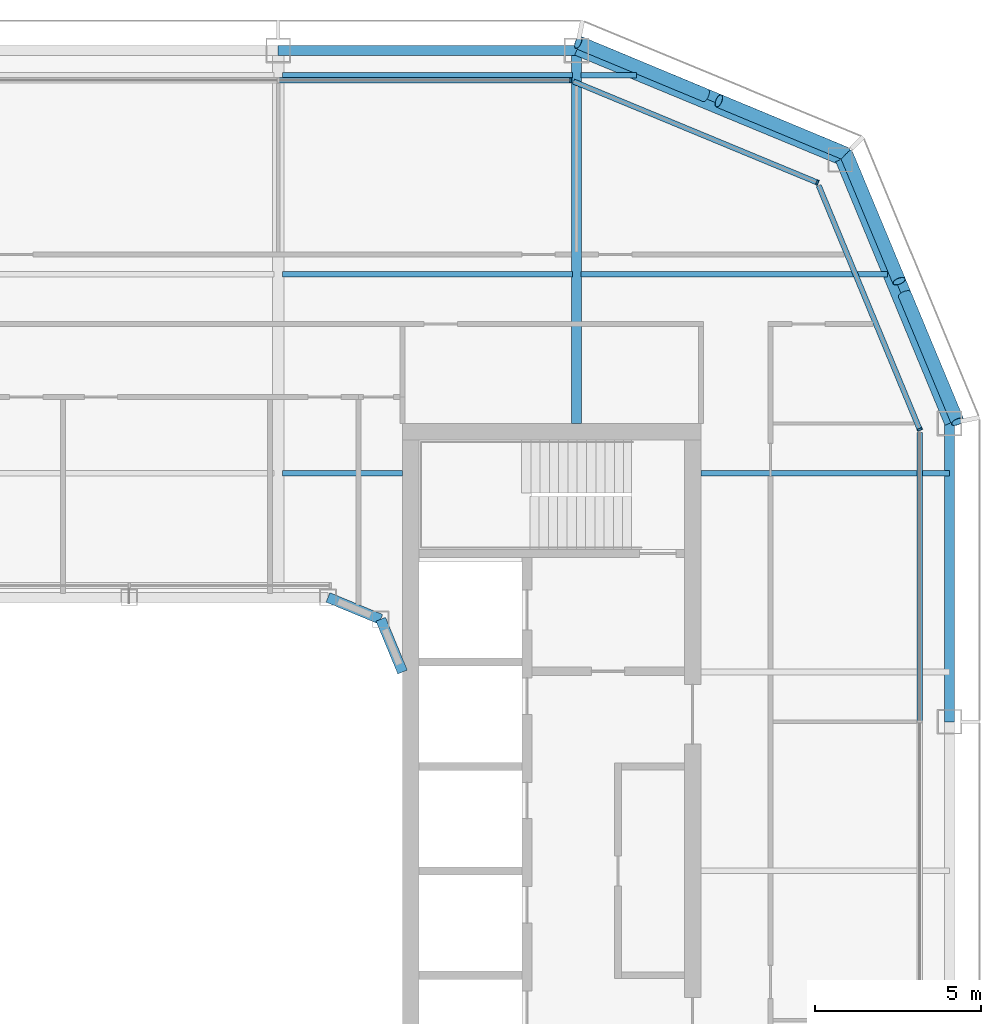
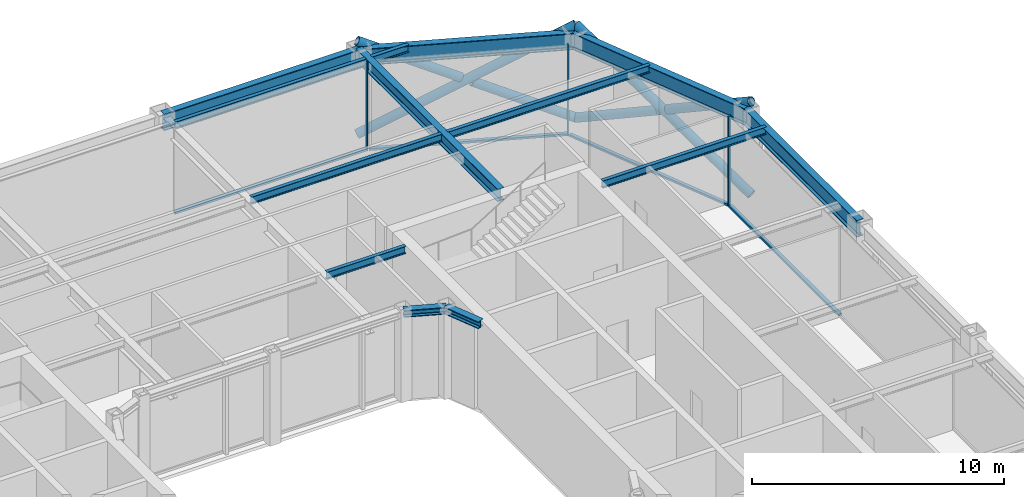
# One storey, part 8 of 17: 13 beams, 13 members, 4 elements without a shape of their own.
"""IFC4 building model written with IfcOpenShell, lengths in metres."""

from ifc_helpers import new_model, si_unit, direction, frame, origin, origin_2d, place, context, subcontext, project, spatial, rectangle, hollow_circle, i_section, extrude, material, layer, layer_set, material_profile, profile_set, type_object, element, aggregate, save


model = new_model("IFC4")

# Units and contexts
model_context = context("Model", 3, precision=1e-05, world=origin(), true_north=direction((0.0, 1.0)))
body_context = subcontext(model_context, "Body", "Model", "MODEL_VIEW")
ifc_project = project(units=[si_unit("LENGTHUNIT", "METRE"), si_unit("AREAUNIT", "SQUARE_METRE"), si_unit("VOLUMEUNIT", "CUBIC_METRE"), si_unit("PLANEANGLEUNIT", "RADIAN"), si_unit("MASSUNIT", "GRAM", prefix="KILO")], contexts=[model_context])

# Site, building, storey
site_placement = place(None, origin())
site = spatial("IfcSite", under=ifc_project, at=site_placement, CompositionType="ELEMENT")
building_placement = place(site_placement, origin())
building = spatial("IfcBuilding", under=site, at=building_placement, Name="Siwar Civic Tower", CompositionType="ELEMENT")
storey_placement = place(building_placement, frame((0.0, 0.0, 289.699951171875)))
storey = spatial("IfcBuildingStorey", under=building, at=storey_placement, Name="L62", CompositionType="ELEMENT", Elevation=289.699951171875)

# Curtain wall, member
ifc_material_1 = material(Name="Aluminium clad insulated panel", Category="aluminium")
ifc_layer_1 = layer(ifc_material_1, 0.159912109375)
ifc_layer_set_1 = layer_set([ifc_layer_1], Name="Aluminium clad insulated panel")
curtain_wall_type_1 = type_object("IfcCurtainWallType", Name="ENV-CW-DX", PredefinedType="NOTDEFINED", material=ifc_layer_set_1)
curtain_wall_1_placement = place(storey_placement, origin())
curtain_wall_1 = element("IfcCurtainWall", 1, at=curtain_wall_1_placement, inside=storey, type_object=curtain_wall_type_1, Name="Curtain wall D NE1", PredefinedType="NOTDEFINED")
ifc_material_2 = material(Name="Aluminium 6063-T6", Category="aluminium")
ifc_material_profile_1 = material_profile(ifc_material_2, rectangle(XDim=0.159912109375, YDim=0.06005859375, at=origin_2d()), Name="AL 160x60")
ifc_profile_set_1 = profile_set([ifc_material_profile_1], Name="Aluminium 6063-T6")
member_type_1 = type_object("IfcMemberType", Name="ENV-MULLION-D", PredefinedType="MULLION", material=ifc_profile_set_1)
member_1_placement = place(storey_placement, frame((23.85009765625, 13.321044921875, 0.0), z_axis=(0.0, 0.0, 1.0), x_axis=(-0.923879532511, -0.382683432365, 0.0)))
member_1 = element("IfcMember", 2, at=member_1_placement, type_object=member_type_1, Name="Mullion D NE1 1", PredefinedType="MULLION", context=body_context, shape_type="SweptSolid", body=[
    extrude(rectangle(XDim=0.159912109375, YDim=0.06005859375, at=origin_2d()), origin(), (0.0, 0.0, 1.0), 4.35009765625),
])

curtain_wall_2_placement = place(storey_placement, origin())
curtain_wall_2 = element("IfcCurtainWall", 3, at=curtain_wall_2_placement, inside=storey, type_object=curtain_wall_type_1, Name="Curtain wall D NE2", PredefinedType="NOTDEFINED")
member_2_placement = place(storey_placement, frame((20.76611328125, 20.76611328125, 0.0), z_axis=(0.0, 0.0, 1.0), x_axis=(-0.382683432365, -0.923879532511, 0.0)))
member_2 = element("IfcMember", 4, at=member_2_placement, type_object=member_type_1, Name="Mullion D NE2 1", PredefinedType="MULLION", context=body_context, shape_type="SweptSolid", body=[
    extrude(rectangle(XDim=0.159912109375, YDim=0.06005859375, at=origin_2d()), origin(), (0.0, 0.0, 1.0), 4.35009765625),
])

ifc_material_3 = material(Name="Aluminium and glass", Category="aluminium")
ifc_layer_2 = layer(ifc_material_3, 0.159912109375)
ifc_layer_set_2 = layer_set([ifc_layer_2], Name="Aluminium and glass")
curtain_wall_type_2 = type_object("IfcCurtainWallType", Name="ENV-CW-D", PredefinedType="NOTDEFINED", material=ifc_layer_set_2)
curtain_wall_3_placement = place(storey_placement, origin())
curtain_wall_3 = element("IfcCurtainWall", 5, at=curtain_wall_3_placement, inside=storey, type_object=curtain_wall_type_2, Name="Curtain wall D N", PredefinedType="NOTDEFINED")
member_3_placement = place(storey_placement, frame((13.321044921875, 23.85009765625, 0.0), z_axis=(0.0, 0.0, 1.0), x_axis=(0.0, -1.0, 0.0)))
member_3 = element("IfcMember", 6, at=member_3_placement, type_object=member_type_1, Name="Mullion D N 1", PredefinedType="MULLION", context=body_context, shape_type="SweptSolid", body=[
    extrude(rectangle(XDim=0.159912109375, YDim=0.06005859375, at=origin_2d()), origin(), (0.0, 0.0, 1.0), 4.35009765625),
])

curtain_wall_4_placement = place(storey_placement, origin())
curtain_wall_4 = element("IfcCurtainWall", 7, at=curtain_wall_4_placement, inside=storey, type_object=curtain_wall_type_2, Name="Curtain wall D E", PredefinedType="NOTDEFINED")
ifc_material_4 = material(Name="Aluminium 6063-T6", Category="aluminium")
ifc_material_profile_2 = material_profile(ifc_material_4, rectangle(XDim=0.159912109375, YDim=0.10009765625, at=origin_2d()), Name="AL 160x100")
ifc_profile_set_2 = profile_set([ifc_material_profile_2], Name="Aluminium 6063-T6")
member_type_2 = type_object("IfcMemberType", Name="ENV-TRANSOM-D", PredefinedType="USERDEFINED", material=ifc_profile_set_2)
member_4_placement = place(storey_placement, frame((23.85009765625, 4.530029296875, 0.050048828125), z_axis=(0.0, 1.0, 0.0), x_axis=(-1.0, 0.0, 0.0)))
member_4 = element("IfcMember", 8, at=member_4_placement, type_object=member_type_2, Name="Transom D E 3", ObjectType="TRANSOM", PredefinedType="USERDEFINED", context=body_context, shape_type="SweptSolid", body=[
    extrude(rectangle(XDim=0.159912109375, YDim=0.10009765625, at=origin_2d()), origin(), (0.0, 0.0, 1.0), 8.693115234375),
])
aggregate(curtain_wall_4, [member_4])

# Member
member_5_placement = place(storey_placement, frame((23.838623046875, 13.3486328125, 0.050048828125), z_axis=(-0.382699790424, 0.923872756612, 0.0), x_axis=(-0.923872756612, -0.382699790424, 0.0)))
member_5 = element("IfcMember", 9, at=member_5_placement, type_object=member_type_2, Name="Transom D NE1 1", ObjectType="TRANSOM", PredefinedType="USERDEFINED", context=body_context, shape_type="SweptSolid", body=[
    extrude(rectangle(XDim=0.159912109375, YDim=0.10009765625, at=origin_2d()), origin(), (0.0, 0.0, 1.0), 7.930908203125),
])

aggregate(curtain_wall_1, [member_1, member_5])

member_6_placement = place(storey_placement, frame((20.738525390625, 20.777587890625, 0.050048828125), z_axis=(-0.923883640343, 0.382673515031, 0.0), x_axis=(-0.382673515031, -0.923883640343, 0.0)))
member_6 = element("IfcMember", 10, at=member_6_placement, type_object=member_type_2, Name="Transom D NE2 1", ObjectType="TRANSOM", PredefinedType="USERDEFINED", context=body_context, shape_type="SweptSolid", body=[
    extrude(rectangle(XDim=0.159912109375, YDim=0.10009765625, at=origin_2d()), origin(), (0.0, 0.0, 1.0), 7.930908203125),
])

aggregate(curtain_wall_2, [member_2, member_6])

member_7_placement = place(storey_placement, frame((13.291015625, 23.85009765625, 0.050048828125), z_axis=(-1.0, 0.0, 0.0), x_axis=(0.0, -1.0, 0.0)))
member_7 = element("IfcMember", 11, at=member_7_placement, type_object=member_type_2, Name="Transom D N 1", ObjectType="TRANSOM", PredefinedType="USERDEFINED", context=body_context, shape_type="SweptSolid", body=[
    extrude(rectangle(XDim=0.159912109375, YDim=0.10009765625, at=origin_2d()), origin(), (0.0, 0.0, 1.0), 8.760986328125),
])

aggregate(curtain_wall_3, [member_3, member_7])

# Members
ifc_material_5 = material(Name="Steel S355", Category="steel")
ifc_material_profile_3 = material_profile(ifc_material_5, hollow_circle(Radius=0.203125, WallThickness=0.01611328125, at=origin_2d()), Name="CHS406.4x16")
ifc_profile_set_3 = profile_set([ifc_material_profile_3], Name="Steel S355")
member_type_3 = type_object("IfcMemberType", Name="STR-BR-CHS406.4x16", PredefinedType="BRACE", material=ifc_profile_set_3)
member_8_placement = place(storey_placement, frame((13.548828125, 24.9951171875, 0.0), z_axis=(0.821142553604, -0.341671493852, 0.457149315816), x_axis=(0.384163874976, 0.923264922524, 0.0)))
element("IfcMember", 12, at=member_8_placement, inside=storey, type_object=member_type_3, Name="L62/brc/DNE1-1-0-1", PredefinedType="BRACE", context=body_context, shape_type="SweptSolid", body=[
    extrude(hollow_circle(Radius=0.203125, WallThickness=0.01611328125, at=origin_2d()), origin(), (0.0, 0.0, 1.0), 9.843505859375),
])
member_9_placement = place(storey_placement, frame((21.6318359375, 21.6318359375, 0.0), z_axis=(-0.821147096886, 0.341644380467, 0.457161418507), x_axis=(-0.38413607648, -0.923276488787, 0.0)))
element("IfcMember", 13, at=member_9_placement, inside=storey, type_object=member_type_3, Name="L62/brc/DNE1-1-0-2", PredefinedType="BRACE", context=body_context, shape_type="SweptSolid", body=[
    extrude(hollow_circle(Radius=0.203125, WallThickness=0.01611328125, at=origin_2d()), origin(), (0.0, 0.0, 1.0), 4.677001953125),
])
member_10_placement = place(storey_placement, frame((17.38916015625, 23.397216796875, 2.362060546875), z_axis=(-0.821149689876, 0.341667178655, 0.457139722456), x_axis=(-0.384156893273, -0.923267827529, 0.0)))
element("IfcMember", 14, at=member_10_placement, inside=storey, type_object=member_type_3, Name="L62/brc/DNE1-1-0-3", PredefinedType="BRACE", context=body_context, shape_type="SweptSolid", body=[
    extrude(hollow_circle(Radius=0.203125, WallThickness=0.01611328125, at=origin_2d()), origin(), (0.0, 0.0, 1.0), 4.6767578125),
])
member_11_placement = place(storey_placement, frame((24.9951171875, 13.548828125, 0.0), z_axis=(-0.341671493852, 0.821142553604, 0.457149315816), x_axis=(-0.923264922524, -0.384163874976, 0.0)))
element("IfcMember", 15, at=member_11_placement, inside=storey, type_object=member_type_3, Name="L62/brc/DNE1-1-0-0", PredefinedType="BRACE", context=body_context, shape_type="SweptSolid", body=[
    extrude(hollow_circle(Radius=0.203125, WallThickness=0.01611328125, at=origin_2d()), origin(), (0.0, 0.0, 1.0), 9.843505859375),
])
member_12_placement = place(storey_placement, frame((21.6318359375, 21.6318359375, 0.0), z_axis=(0.341644380467, -0.821147096886, 0.457161418507), x_axis=(0.923276488787, 0.38413607648, 0.0)))
element("IfcMember", 16, at=member_12_placement, inside=storey, type_object=member_type_3, Name="L62/brc/DNE1-1-0-4", PredefinedType="BRACE", context=body_context, shape_type="SweptSolid", body=[
    extrude(hollow_circle(Radius=0.203125, WallThickness=0.01611328125, at=origin_2d()), origin(), (0.0, 0.0, 1.0), 4.677001953125),
])
member_13_placement = place(storey_placement, frame((23.397216796875, 17.38916015625, 2.362060546875), z_axis=(0.341667178655, -0.821149689876, 0.457139722456), x_axis=(0.923267827529, 0.384156893273, 0.0)))
element("IfcMember", 17, at=member_13_placement, inside=storey, type_object=member_type_3, Name="L62/brc/DNE1-1-0-5", PredefinedType="BRACE", context=body_context, shape_type="SweptSolid", body=[
    extrude(hollow_circle(Radius=0.203125, WallThickness=0.01611328125, at=origin_2d()), origin(), (0.0, 0.0, 1.0), 4.6767578125),
])

# Beams
ifc_material_6 = material(Name="Steel S355", Category="steel")
ifc_material_profile_4 = material_profile(ifc_material_6, i_section(OverallWidth=0.169921875, OverallDepth=0.360107421875, WebThickness=0.008056640625, FlangeThickness=0.0126953125, FilletRadius=0.01806640625, at=origin_2d()), Name="IPE360")
ifc_profile_set_4 = profile_set([ifc_material_profile_4], Name="Steel S355")
beam_type_1 = type_object("IfcBeamType", Name="STR-FB-IPE360", PredefinedType="JOIST", material=ifc_profile_set_4)
beam_1_placement = place(storey_placement, frame((4.6298828125, 12.0, 4.170166015625), z_axis=(1.0, 0.0, 0.0), x_axis=(0.0, 1.0, 0.0)))
element("IfcBeam", 18, at=beam_1_placement, inside=storey, type_object=beam_type_1, Name="L62/bm/F025", PredefinedType="JOIST", context=body_context, shape_type="SweptSolid", body=[
    extrude(i_section(OverallWidth=0.169921875, OverallDepth=0.360107421875, WebThickness=0.008056640625, FlangeThickness=0.0126953125, FilletRadius=0.01806640625, at=origin_2d()), origin(), (0.0, 0.0, 1.0), 3.6201171875),
])
beam_2_placement = place(storey_placement, frame((17.25, 12.0, 4.170166015625), z_axis=(1.0, 0.0, 0.0), x_axis=(0.0, 1.0, 0.0)))
element("IfcBeam", 19, at=beam_2_placement, inside=storey, type_object=beam_type_1, Name="L62/bm/F026", PredefinedType="JOIST", context=body_context, shape_type="SweptSolid", body=[
    extrude(i_section(OverallWidth=0.169921875, OverallDepth=0.360107421875, WebThickness=0.008056640625, FlangeThickness=0.0126953125, FilletRadius=0.01806640625, at=origin_2d()), origin(), (0.0, 0.0, 1.0), 7.5),
])
beam_3_placement = place(storey_placement, frame((4.6298828125, 18.0, 4.170166015625), z_axis=(1.0, 0.0, 0.0), x_axis=(0.0, 1.0, 0.0)))
element("IfcBeam", 20, at=beam_3_placement, inside=storey, type_object=beam_type_1, Name="L62/bm/F030", PredefinedType="JOIST", context=body_context, shape_type="SweptSolid", body=[
    extrude(i_section(OverallWidth=0.169921875, OverallDepth=0.360107421875, WebThickness=0.008056640625, FlangeThickness=0.0126953125, FilletRadius=0.01806640625, at=origin_2d()), origin(), (0.0, 0.0, 1.0), 8.740234375),
])
beam_4_placement = place(storey_placement, frame((13.6298828125, 18.0, 4.170166015625), z_axis=(1.0, 0.0, 0.0), x_axis=(0.0, 1.0, 0.0)))
element("IfcBeam", 21, at=beam_4_placement, inside=storey, type_object=beam_type_1, Name="L62/bm/F031", PredefinedType="JOIST", context=body_context, shape_type="SweptSolid", body=[
    extrude(i_section(OverallWidth=0.169921875, OverallDepth=0.360107421875, WebThickness=0.008056640625, FlangeThickness=0.0126953125, FilletRadius=0.01806640625, at=origin_2d()), origin(), (0.0, 0.0, 1.0), 9.256103515625),
])
beam_5_placement = place(storey_placement, frame((4.6298828125, 24.0, 4.170166015625), z_axis=(1.0, 0.0, 0.0), x_axis=(0.0, 1.0, 0.0)))
element("IfcBeam", 22, at=beam_5_placement, inside=storey, type_object=beam_type_1, Name="L62/bm/F035", PredefinedType="JOIST", context=body_context, shape_type="SweptSolid", body=[
    extrude(i_section(OverallWidth=0.169921875, OverallDepth=0.360107421875, WebThickness=0.008056640625, FlangeThickness=0.0126953125, FilletRadius=0.01806640625, at=origin_2d()), origin(), (0.0, 0.0, 1.0), 8.740234375),
])
beam_6_placement = place(storey_placement, frame((13.6298828125, 24.0, 4.170166015625), z_axis=(1.0, 0.0, 0.0), x_axis=(0.0, 1.0, 0.0)))
element("IfcBeam", 23, at=beam_6_placement, inside=storey, type_object=beam_type_1, Name="L62/bm/F036", PredefinedType="JOIST", context=body_context, shape_type="SweptSolid", body=[
    extrude(i_section(OverallWidth=0.169921875, OverallDepth=0.360107421875, WebThickness=0.008056640625, FlangeThickness=0.0126953125, FilletRadius=0.01806640625, at=origin_2d()), origin(), (0.0, 0.0, 1.0), 1.6806640625),
])
ifc_material_7 = material(Name="Steel S355", Category="steel")
ifc_material_profile_5 = material_profile(ifc_material_7, i_section(OverallWidth=0.300048828125, OverallDepth=0.60009765625, WebThickness=0.015380859375, FlangeThickness=0.030029296875, FilletRadius=0.027099609375, at=origin_2d()), Name="HEB600")
ifc_profile_set_5 = profile_set([ifc_material_profile_5], Name="Steel S355")
beam_type_2 = type_object("IfcBeamType", Name="STR-PG-HEB600", PredefinedType="BEAM", material=ifc_profile_set_5)
beam_7_placement = place(storey_placement, frame((13.5, 13.5, 4.050048828125), z_axis=(0.0, 1.0, 0.0), x_axis=(-1.0, 0.0, 0.0)))
element("IfcBeam", 24, at=beam_7_placement, inside=storey, type_object=beam_type_2, Name="L62/bm/G08", PredefinedType="BEAM", context=body_context, shape_type="SweptSolid", body=[
    extrude(i_section(OverallWidth=0.300048828125, OverallDepth=0.60009765625, WebThickness=0.015380859375, FlangeThickness=0.030029296875, FilletRadius=0.027099609375, at=origin_2d()), origin(), (0.0, 0.0, 1.0), 11.25),
])
ifc_material_8 = material(Name="Steel S355", Category="steel")
ifc_material_profile_6 = material_profile(ifc_material_8, i_section(OverallWidth=0.31005859375, OverallDepth=0.340087890625, WebThickness=0.02099609375, FlangeThickness=0.0390625, FilletRadius=0.027099609375, at=origin_2d()), Name="HEM300")
ifc_profile_set_6 = profile_set([ifc_material_profile_6], Name="Steel S355")
beam_type_3 = type_object("IfcBeamType", Name="STR-RB-HEM300", PredefinedType="BEAM", material=ifc_profile_set_6)
for number, where, z_axis, x_axis, name in (
    (25, (6.0, 8.25, 4.179931640625), (0.923901072997, -0.382631424892, 0.0), (0.382631424892, 0.923901072997, 0.0), "L62/bm/RN3"),
    (26, (7.591064453125, 7.591064453125, 4.179931640625), (0.382631424892, -0.923901072997, 0.0), (0.923901072997, 0.382631424892, 0.0), "L62/bm/RNEE"),
):
    element("IfcBeam", number, at=place(storey_placement, frame(where, z_axis=z_axis, x_axis=x_axis)), inside=storey, type_object=beam_type_3, Name=name, PredefinedType="BEAM", context=body_context, shape_type="SweptSolid", body=[
        extrude(i_section(OverallWidth=0.31005859375, OverallDepth=0.340087890625, WebThickness=0.02099609375, FlangeThickness=0.0390625, FilletRadius=0.027099609375, at=origin_2d()), origin(), (0.0, 0.0, 1.0), 1.72216796875),
    ])
ifc_material_9 = material(Name="Steel S355", Category="steel")
ifc_material_profile_7 = material_profile(ifc_material_9, i_section(OverallWidth=0.300048828125, OverallDepth=0.800048828125, WebThickness=0.017578125, FlangeThickness=0.032958984375, FilletRadius=0.030029296875, at=origin_2d()), Name="HEB800")
ifc_profile_set_7 = profile_set([ifc_material_profile_7], Name="Steel S355")
beam_type_4 = type_object("IfcBeamType", Name="STR-SB-HEB800", PredefinedType="BEAM", material=ifc_profile_set_7)
beam_8_placement = place(storey_placement, frame((24.75, 4.5, 3.949951171875), z_axis=(0.0, 1.0, 0.0), x_axis=(-1.0, 0.0, 0.0)))
element("IfcBeam", 27, at=beam_8_placement, inside=storey, type_object=beam_type_4, Name="L62/bm/SE-2", PredefinedType="BEAM", context=body_context, shape_type="SweptSolid", body=[
    extrude(i_section(OverallWidth=0.300048828125, OverallDepth=0.800048828125, WebThickness=0.017578125, FlangeThickness=0.032958984375, FilletRadius=0.030029296875, at=origin_2d()), origin(), (0.0, 0.0, 1.0), 9.0),
])
for number, where, z_axis, x_axis, name in (
    (28, (24.75, 13.5, 3.949951171875), (-0.382699877515, 0.923872720536, 0.0), (-0.923872720536, -0.382699877515, 0.0), "L62/bm/SNE1-0"),
    (29, (21.454833984375, 21.454833984375, 3.949951171875), (-0.923872720536, 0.382699877515, 0.0), (-0.382699877515, -0.923872720536, 0.0), "L62/bm/SNE2-0"),
):
    element("IfcBeam", number, at=place(storey_placement, frame(where, z_axis=z_axis, x_axis=x_axis)), inside=storey, type_object=beam_type_4, Name=name, PredefinedType="BEAM", context=body_context, shape_type="SweptSolid", body=[
        extrude(i_section(OverallWidth=0.300048828125, OverallDepth=0.800048828125, WebThickness=0.017578125, FlangeThickness=0.032958984375, FilletRadius=0.030029296875, at=origin_2d()), origin(), (0.0, 0.0, 1.0), 8.6103515625),
    ])
beam_9_placement = place(storey_placement, frame((13.5, 24.75, 3.949951171875), z_axis=(-1.0, 0.0, 0.0), x_axis=(0.0, -1.0, 0.0)))
element("IfcBeam", 30, at=beam_9_placement, inside=storey, type_object=beam_type_4, Name="L62/bm/SN-0", PredefinedType="BEAM", context=body_context, shape_type="SweptSolid", body=[
    extrude(i_section(OverallWidth=0.300048828125, OverallDepth=0.800048828125, WebThickness=0.017578125, FlangeThickness=0.032958984375, FilletRadius=0.030029296875, at=origin_2d()), origin(), (0.0, 0.0, 1.0), 9.0),
])

save(model, "model.ifc")
